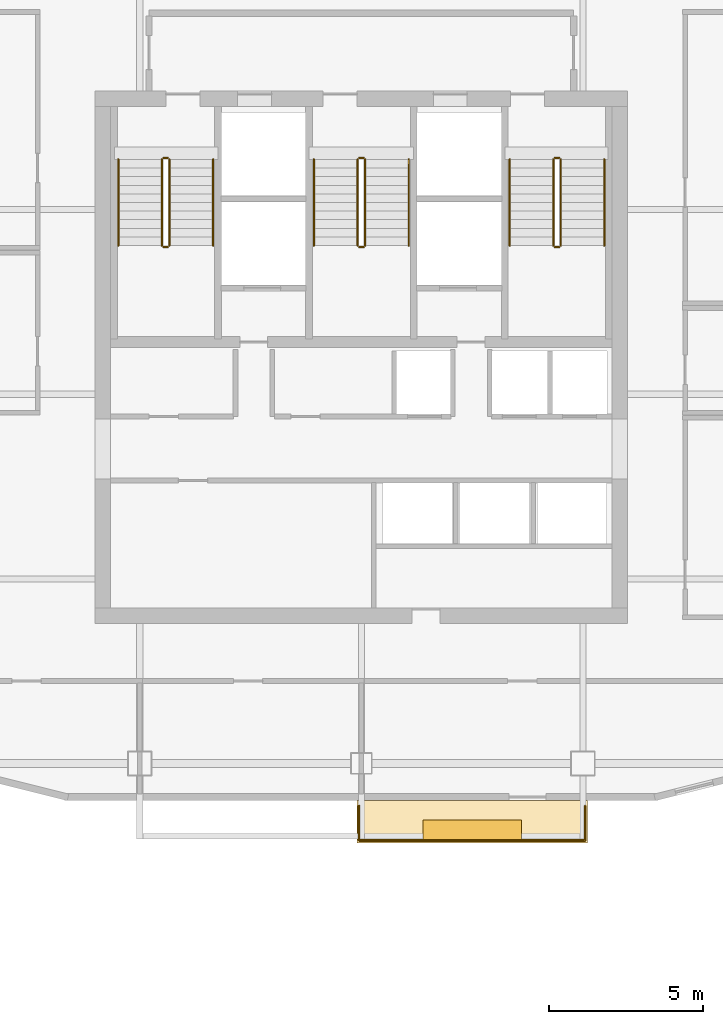
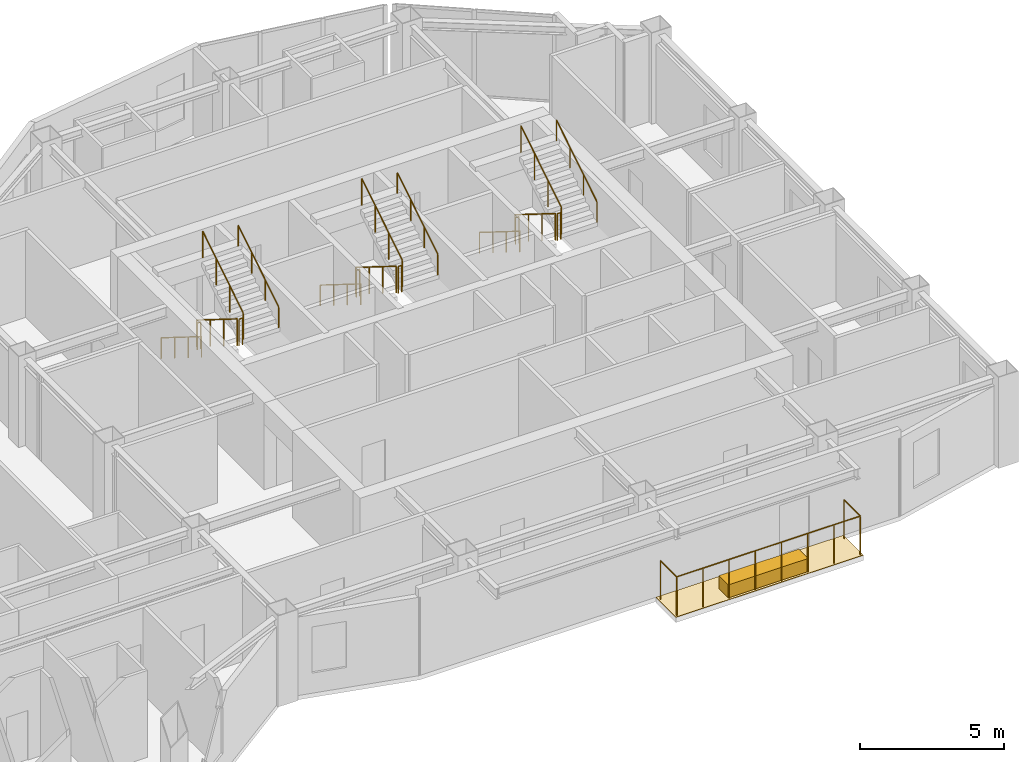
# One storey, part 9 of 9: 20 railings, 2 coverings.
"""IFC4 building model written with IfcOpenShell, lengths in metres."""

from ifc_helpers import new_model, si_unit, direction, frame, origin, origin_2d, place, context, subcontext, project, spatial, polyline, rectangle, circle, outline, extrude, material, layer, layer_set, type_object, element, save


model = new_model("IFC4")

# Units and contexts
model_context = context("Model", 3, precision=1e-05, world=origin(), true_north=direction((0.0, 1.0)))
body_context = subcontext(model_context, "Body", "Model", "MODEL_VIEW")
ifc_project = project(units=[si_unit("LENGTHUNIT", "METRE"), si_unit("AREAUNIT", "SQUARE_METRE"), si_unit("VOLUMEUNIT", "CUBIC_METRE"), si_unit("PLANEANGLEUNIT", "RADIAN"), si_unit("MASSUNIT", "GRAM", prefix="KILO")], contexts=[model_context])

# Site, building, storey
site_placement = place(None, origin())
site = spatial("IfcSite", under=ifc_project, at=site_placement, CompositionType="ELEMENT")
building_placement = place(site_placement, origin())
building = spatial("IfcBuilding", under=site, at=building_placement, Name="Haolan Belvedere Tower", CompositionType="ELEMENT")
storey_placement = place(building_placement, frame((0.0, 0.0, 269.85009765625)))
storey = spatial("IfcBuildingStorey", under=building, at=storey_placement, Name="L68", CompositionType="ELEMENT", Elevation=269.85009765625)

# Coverings
ifc_material_1 = material(Name="Engineered lightweight planted garden soil substrate", Category="masonry")
ifc_layer_1 = layer(ifc_material_1, 0.550048828125, Name="Engineered lightweight planted garden soil substrate")
ifc_layer_set_1 = layer_set([ifc_layer_1], Name="Engineered lightweight planted garden soil substrate")
covering_type_1 = type_object("IfcCoveringType", Name="COV-PLANT-550", PredefinedType="MEMBRANE", material=ifc_layer_set_1)
covering_1_placement = place(storey_placement, frame((42.0, 19.43994140625, 0.0), z_axis=(0.0, 0.0, 1.0), x_axis=(1.0, 0.0, 0.0)))
element("IfcCovering", 1, at=covering_1_placement, inside=storey, type_object=covering_type_1, Name="L68 structural tree balcony PLANTER box 1", PredefinedType="MEMBRANE", context=body_context, shape_type="SweptSolid", body=[
    extrude(rectangle(XDim=3.199951171875, YDim=0.64990234375, at=origin_2d()), origin(), (0.0, 0.0, 1.0), 0.550048828125),
])
ifc_material_2 = material(Name="Elastomeric waterproof roofing membrane and stone pavers", Category="masonry")
ifc_layer_2 = layer(ifc_material_2, 0.02001953125, Name="Elastomeric waterproof roofing membrane and stone pavers")
ifc_layer_set_2 = layer_set([ifc_layer_2], Name="Elastomeric waterproof roofing membrane and stone pavers")
covering_type_2 = type_object("IfcCoveringType", Name="COV-ROOF-20", PredefinedType="ROOFING", material=ifc_layer_set_2)
covering_2_placement = place(storey_placement, frame((0.0, 0.0, -0.02001953125)))
element("IfcCovering", 2, at=covering_2_placement, inside=storey, type_object=covering_type_2, Name="L68 tree-balcony waterproof membrane 1", PredefinedType="ROOFING", context=body_context, shape_type="SweptSolid", body=[
    extrude(outline(polyline([(38.25, 19.02001953125), (45.75, 19.02001953125), (45.75, 20.39990234375), (38.25, 20.39990234375), (38.25, 19.02001953125)])), origin(), (0.0, 0.0, 1.0), 0.02001953125),
])

# Railings
ifc_material_3 = material(Name="Brushed stainless steel 304", Category="steel")
railing_type_1 = type_object("IfcRailingType", Name="RL-STAIR-GRD-1150", PredefinedType="GUARDRAIL", material=ifc_material_3)
railing_1_placement = place(storey_placement, frame((31.919921875, 41.22998046875, 0.1748046875)))
element("IfcRailing", 3, at=railing_1_placement, inside=storey, type_object=railing_type_1, Name="L68 ST1 stair guard 1", PredefinedType="GUARDRAIL", context=body_context, shape_type="SweptSolid", body=[
    extrude(circle(Radius=0.02392578125, at=origin_2d()), frame((0.0, 0.0, 1.1259765625), z_axis=(0.0, -0.848002457836, 0.529992293815), x_axis=(1.0, 0.0, 0.0)), (0.0, 0.0, 1.0), 3.302001953125),
    extrude(circle(Radius=0.02099609375, at=origin_2d()), origin(), (0.0, 0.0, 1.0), 1.101806640625),
    extrude(circle(Radius=0.02099609375, at=origin_2d()), frame((0.0, -0.933349609375, 0.583251953125)), (0.0, 0.0, 1.0), 1.101806640625),
    extrude(circle(Radius=0.02099609375, at=origin_2d()), frame((0.0, -1.86669921875, 1.166748046875)), (0.0, 0.0, 1.0), 1.101806640625),
    extrude(circle(Radius=0.02099609375, at=origin_2d()), frame((0.0, -2.800048828125, 1.75)), (0.0, 0.0, 1.0), 1.101806640625),
])
railing_2_placement = place(storey_placement, frame((31.969970703125, 38.3798828125, 1.9248046875)))
element("IfcRailing", 4, at=railing_2_placement, inside=storey, type_object=railing_type_1, Name="L68 ST1 stair guard 2", PredefinedType="GUARDRAIL", context=body_context, shape_type="SweptSolid", body=[
    extrude(circle(Radius=0.02392578125, at=origin_2d()), frame((0.0, 0.0, 1.1259765625), z_axis=(1.0, 0.0, 0.0), x_axis=(0.0, 1.0, 0.0)), (0.0, 0.0, 1.0), 0.14013671875),
    extrude(circle(Radius=0.02099609375, at=origin_2d()), origin(), (0.0, 0.0, 1.0), 1.101806640625),
    extrude(circle(Radius=0.02099609375, at=origin_2d()), frame((0.14013671875, 0.0, 0.0)), (0.0, 0.0, 1.0), 1.101806640625),
])
railing_3_placement = place(storey_placement, frame((32.159912109375, 38.429931640625, 2.099853515625)))
element("IfcRailing", 5, at=railing_3_placement, inside=storey, type_object=railing_type_1, Name="L68 ST1 stair guard 3", PredefinedType="GUARDRAIL", context=body_context, shape_type="SweptSolid", body=[
    extrude(circle(Radius=0.02392578125, at=origin_2d()), frame((0.0, 0.0, 1.1259765625), z_axis=(0.0, 0.848002457836, 0.529992293815), x_axis=(-1.0, 0.0, 0.0)), (0.0, 0.0, 1.0), 3.302001953125),
    extrude(circle(Radius=0.02099609375, at=origin_2d()), origin(), (0.0, 0.0, 1.0), 1.101806640625),
    extrude(circle(Radius=0.02099609375, at=origin_2d()), frame((0.0, 0.933349609375, 0.583251953125)), (0.0, 0.0, 1.0), 1.101806640625),
    extrude(circle(Radius=0.02099609375, at=origin_2d()), frame((0.0, 1.86669921875, 1.166748046875)), (0.0, 0.0, 1.0), 1.101806640625),
    extrude(circle(Radius=0.02099609375, at=origin_2d()), frame((0.0, 2.800048828125, 1.75)), (0.0, 0.0, 1.0), 1.101806640625),
])
railing_4_placement = place(storey_placement, frame((31.969970703125, 41.280029296875, 0.0)))
element("IfcRailing", 6, at=railing_4_placement, inside=storey, type_object=railing_type_1, Name="L68 ST1 stair guard 4", PredefinedType="GUARDRAIL", context=body_context, shape_type="SweptSolid", body=[
    extrude(circle(Radius=0.02392578125, at=origin_2d()), frame((0.0, 0.0, 1.1259765625), z_axis=(1.0, 0.0, 0.0), x_axis=(0.0, 1.0, 0.0)), (0.0, 0.0, 1.0), 0.14013671875),
    extrude(circle(Radius=0.02099609375, at=origin_2d()), origin(), (0.0, 0.0, 1.0), 1.101806640625),
    extrude(circle(Radius=0.02099609375, at=origin_2d()), frame((0.14013671875, 0.0, 0.0)), (0.0, 0.0, 1.0), 1.101806640625),
])
railing_5_placement = place(storey_placement, frame((38.280029296875, 41.22998046875, 0.1748046875)))
element("IfcRailing", 7, at=railing_5_placement, inside=storey, type_object=railing_type_1, Name="L68 ST3 stair guard 1", PredefinedType="GUARDRAIL", context=body_context, shape_type="SweptSolid", body=[
    extrude(circle(Radius=0.02392578125, at=origin_2d()), frame((0.0, 0.0, 1.1259765625), z_axis=(0.0, -0.848002457836, 0.529992293815), x_axis=(1.0, 0.0, 0.0)), (0.0, 0.0, 1.0), 3.302001953125),
    extrude(circle(Radius=0.02099609375, at=origin_2d()), origin(), (0.0, 0.0, 1.0), 1.101806640625),
    extrude(circle(Radius=0.02099609375, at=origin_2d()), frame((0.0, -0.933349609375, 0.583251953125)), (0.0, 0.0, 1.0), 1.101806640625),
    extrude(circle(Radius=0.02099609375, at=origin_2d()), frame((0.0, -1.86669921875, 1.166748046875)), (0.0, 0.0, 1.0), 1.101806640625),
    extrude(circle(Radius=0.02099609375, at=origin_2d()), frame((0.0, -2.800048828125, 1.75)), (0.0, 0.0, 1.0), 1.101806640625),
])
railing_6_placement = place(storey_placement, frame((38.330078125, 38.3798828125, 1.9248046875)))
element("IfcRailing", 8, at=railing_6_placement, inside=storey, type_object=railing_type_1, Name="L68 ST3 stair guard 2", PredefinedType="GUARDRAIL", context=body_context, shape_type="SweptSolid", body=[
    extrude(circle(Radius=0.02392578125, at=origin_2d()), frame((0.0, 0.0, 1.1259765625), z_axis=(1.0, 0.0, 0.0), x_axis=(0.0, 1.0, 0.0)), (0.0, 0.0, 1.0), 0.139892578125),
    extrude(circle(Radius=0.02099609375, at=origin_2d()), origin(), (0.0, 0.0, 1.0), 1.101806640625),
    extrude(circle(Radius=0.02099609375, at=origin_2d()), frame((0.139892578125, 0.0, 0.0)), (0.0, 0.0, 1.0), 1.101806640625),
])
railing_7_placement = place(storey_placement, frame((38.52001953125, 38.429931640625, 2.099853515625)))
element("IfcRailing", 9, at=railing_7_placement, inside=storey, type_object=railing_type_1, Name="L68 ST3 stair guard 3", PredefinedType="GUARDRAIL", context=body_context, shape_type="SweptSolid", body=[
    extrude(circle(Radius=0.02392578125, at=origin_2d()), frame((0.0, 0.0, 1.1259765625), z_axis=(0.0, 0.848002457836, 0.529992293815), x_axis=(-1.0, 0.0, 0.0)), (0.0, 0.0, 1.0), 3.302001953125),
    extrude(circle(Radius=0.02099609375, at=origin_2d()), origin(), (0.0, 0.0, 1.0), 1.101806640625),
    extrude(circle(Radius=0.02099609375, at=origin_2d()), frame((0.0, 0.933349609375, 0.583251953125)), (0.0, 0.0, 1.0), 1.101806640625),
    extrude(circle(Radius=0.02099609375, at=origin_2d()), frame((0.0, 1.86669921875, 1.166748046875)), (0.0, 0.0, 1.0), 1.101806640625),
    extrude(circle(Radius=0.02099609375, at=origin_2d()), frame((0.0, 2.800048828125, 1.75)), (0.0, 0.0, 1.0), 1.101806640625),
])
railing_8_placement = place(storey_placement, frame((38.330078125, 41.280029296875, 0.0)))
element("IfcRailing", 10, at=railing_8_placement, inside=storey, type_object=railing_type_1, Name="L68 ST3 stair guard 4", PredefinedType="GUARDRAIL", context=body_context, shape_type="SweptSolid", body=[
    extrude(circle(Radius=0.02392578125, at=origin_2d()), frame((0.0, 0.0, 1.1259765625), z_axis=(1.0, 0.0, 0.0), x_axis=(0.0, 1.0, 0.0)), (0.0, 0.0, 1.0), 0.139892578125),
    extrude(circle(Radius=0.02099609375, at=origin_2d()), origin(), (0.0, 0.0, 1.0), 1.101806640625),
    extrude(circle(Radius=0.02099609375, at=origin_2d()), frame((0.139892578125, 0.0, 0.0)), (0.0, 0.0, 1.0), 1.101806640625),
])
railing_9_placement = place(storey_placement, frame((44.639892578125, 41.22998046875, 0.1748046875)))
element("IfcRailing", 11, at=railing_9_placement, inside=storey, type_object=railing_type_1, Name="L68 ST2 stair guard 1", PredefinedType="GUARDRAIL", context=body_context, shape_type="SweptSolid", body=[
    extrude(circle(Radius=0.02392578125, at=origin_2d()), frame((0.0, 0.0, 1.1259765625), z_axis=(0.0, -0.848002457836, 0.529992293815), x_axis=(1.0, 0.0, 0.0)), (0.0, 0.0, 1.0), 3.302001953125),
    extrude(circle(Radius=0.02099609375, at=origin_2d()), origin(), (0.0, 0.0, 1.0), 1.101806640625),
    extrude(circle(Radius=0.02099609375, at=origin_2d()), frame((0.0, -0.933349609375, 0.583251953125)), (0.0, 0.0, 1.0), 1.101806640625),
    extrude(circle(Radius=0.02099609375, at=origin_2d()), frame((0.0, -1.86669921875, 1.166748046875)), (0.0, 0.0, 1.0), 1.101806640625),
    extrude(circle(Radius=0.02099609375, at=origin_2d()), frame((0.0, -2.800048828125, 1.75)), (0.0, 0.0, 1.0), 1.101806640625),
])
railing_10_placement = place(storey_placement, frame((44.68994140625, 38.3798828125, 1.9248046875)))
element("IfcRailing", 12, at=railing_10_placement, inside=storey, type_object=railing_type_1, Name="L68 ST2 stair guard 2", PredefinedType="GUARDRAIL", context=body_context, shape_type="SweptSolid", body=[
    extrude(circle(Radius=0.02392578125, at=origin_2d()), frame((0.0, 0.0, 1.1259765625), z_axis=(1.0, 0.0, 0.0), x_axis=(0.0, 1.0, 0.0)), (0.0, 0.0, 1.0), 0.14013671875),
    extrude(circle(Radius=0.02099609375, at=origin_2d()), origin(), (0.0, 0.0, 1.0), 1.101806640625),
    extrude(circle(Radius=0.02099609375, at=origin_2d()), frame((0.14013671875, 0.0, 0.0)), (0.0, 0.0, 1.0), 1.101806640625),
])
railing_11_placement = place(storey_placement, frame((44.8798828125, 38.429931640625, 2.099853515625)))
element("IfcRailing", 13, at=railing_11_placement, inside=storey, type_object=railing_type_1, Name="L68 ST2 stair guard 3", PredefinedType="GUARDRAIL", context=body_context, shape_type="SweptSolid", body=[
    extrude(circle(Radius=0.02392578125, at=origin_2d()), frame((0.0, 0.0, 1.1259765625), z_axis=(0.0, 0.848002457836, 0.529992293815), x_axis=(-1.0, 0.0, 0.0)), (0.0, 0.0, 1.0), 3.302001953125),
    extrude(circle(Radius=0.02099609375, at=origin_2d()), origin(), (0.0, 0.0, 1.0), 1.101806640625),
    extrude(circle(Radius=0.02099609375, at=origin_2d()), frame((0.0, 0.933349609375, 0.583251953125)), (0.0, 0.0, 1.0), 1.101806640625),
    extrude(circle(Radius=0.02099609375, at=origin_2d()), frame((0.0, 1.86669921875, 1.166748046875)), (0.0, 0.0, 1.0), 1.101806640625),
    extrude(circle(Radius=0.02099609375, at=origin_2d()), frame((0.0, 2.800048828125, 1.75)), (0.0, 0.0, 1.0), 1.101806640625),
])
railing_12_placement = place(storey_placement, frame((44.68994140625, 41.280029296875, 0.0)))
element("IfcRailing", 14, at=railing_12_placement, inside=storey, type_object=railing_type_1, Name="L68 ST2 stair guard 4", PredefinedType="GUARDRAIL", context=body_context, shape_type="SweptSolid", body=[
    extrude(circle(Radius=0.02392578125, at=origin_2d()), frame((0.0, 0.0, 1.1259765625), z_axis=(1.0, 0.0, 0.0), x_axis=(0.0, 1.0, 0.0)), (0.0, 0.0, 1.0), 0.14013671875),
    extrude(circle(Radius=0.02099609375, at=origin_2d()), origin(), (0.0, 0.0, 1.0), 1.101806640625),
    extrude(circle(Radius=0.02099609375, at=origin_2d()), frame((0.14013671875, 0.0, 0.0)), (0.0, 0.0, 1.0), 1.101806640625),
])
railing_type_2 = type_object("IfcRailingType", Name="RL-STAIR-HND-900", PredefinedType="HANDRAIL", material=ifc_material_3)
railing_13_placement = place(storey_placement, frame((30.5, 41.22998046875, 0.1748046875)))
element("IfcRailing", 15, at=railing_13_placement, inside=storey, type_object=railing_type_2, Name="L68 ST1 stair handrail 1", PredefinedType="HANDRAIL", context=body_context, shape_type="SweptSolid", body=[
    extrude(circle(Radius=0.02392578125, at=origin_2d()), frame((0.0, 0.0, 0.8759765625), z_axis=(0.0, -0.848002457836, 0.529992293815), x_axis=(1.0, 0.0, 0.0)), (0.0, 0.0, 1.0), 3.302001953125),
    extrude(circle(Radius=0.02099609375, at=origin_2d()), origin(), (0.0, 0.0, 1.0), 0.851806640625),
    extrude(circle(Radius=0.02099609375, at=origin_2d()), frame((0.0, -0.933349609375, 0.583251953125)), (0.0, 0.0, 1.0), 0.851806640625),
    extrude(circle(Radius=0.02099609375, at=origin_2d()), frame((0.0, -1.86669921875, 1.166748046875)), (0.0, 0.0, 1.0), 0.851806640625),
    extrude(circle(Radius=0.02099609375, at=origin_2d()), frame((0.0, -2.800048828125, 1.75)), (0.0, 0.0, 1.0), 0.851806640625),
])
railing_14_placement = place(storey_placement, frame((33.580078125, 38.429931640625, 2.099853515625)))
element("IfcRailing", 16, at=railing_14_placement, inside=storey, type_object=railing_type_2, Name="L68 ST1 stair handrail 2", PredefinedType="HANDRAIL", context=body_context, shape_type="SweptSolid", body=[
    extrude(circle(Radius=0.02392578125, at=origin_2d()), frame((0.0, 0.0, 0.8759765625), z_axis=(0.0, 0.848002457836, 0.529992293815), x_axis=(-1.0, 0.0, 0.0)), (0.0, 0.0, 1.0), 3.302001953125),
    extrude(circle(Radius=0.02099609375, at=origin_2d()), origin(), (0.0, 0.0, 1.0), 0.851806640625),
    extrude(circle(Radius=0.02099609375, at=origin_2d()), frame((0.0, 0.933349609375, 0.583251953125)), (0.0, 0.0, 1.0), 0.851806640625),
    extrude(circle(Radius=0.02099609375, at=origin_2d()), frame((0.0, 1.86669921875, 1.166748046875)), (0.0, 0.0, 1.0), 0.851806640625),
    extrude(circle(Radius=0.02099609375, at=origin_2d()), frame((0.0, 2.800048828125, 1.75)), (0.0, 0.0, 1.0), 0.851806640625),
])
railing_15_placement = place(storey_placement, frame((36.860107421875, 41.22998046875, 0.1748046875)))
element("IfcRailing", 17, at=railing_15_placement, inside=storey, type_object=railing_type_2, Name="L68 ST3 stair handrail 1", PredefinedType="HANDRAIL", context=body_context, shape_type="SweptSolid", body=[
    extrude(circle(Radius=0.02392578125, at=origin_2d()), frame((0.0, 0.0, 0.8759765625), z_axis=(0.0, -0.848002457836, 0.529992293815), x_axis=(1.0, 0.0, 0.0)), (0.0, 0.0, 1.0), 3.302001953125),
    extrude(circle(Radius=0.02099609375, at=origin_2d()), origin(), (0.0, 0.0, 1.0), 0.851806640625),
    extrude(circle(Radius=0.02099609375, at=origin_2d()), frame((0.0, -0.933349609375, 0.583251953125)), (0.0, 0.0, 1.0), 0.851806640625),
    extrude(circle(Radius=0.02099609375, at=origin_2d()), frame((0.0, -1.86669921875, 1.166748046875)), (0.0, 0.0, 1.0), 0.851806640625),
    extrude(circle(Radius=0.02099609375, at=origin_2d()), frame((0.0, -2.800048828125, 1.75)), (0.0, 0.0, 1.0), 0.851806640625),
])
railing_16_placement = place(storey_placement, frame((39.93994140625, 38.429931640625, 2.099853515625)))
element("IfcRailing", 18, at=railing_16_placement, inside=storey, type_object=railing_type_2, Name="L68 ST3 stair handrail 2", PredefinedType="HANDRAIL", context=body_context, shape_type="SweptSolid", body=[
    extrude(circle(Radius=0.02392578125, at=origin_2d()), frame((0.0, 0.0, 0.8759765625), z_axis=(0.0, 0.848002457836, 0.529992293815), x_axis=(-1.0, 0.0, 0.0)), (0.0, 0.0, 1.0), 3.302001953125),
    extrude(circle(Radius=0.02099609375, at=origin_2d()), origin(), (0.0, 0.0, 1.0), 0.851806640625),
    extrude(circle(Radius=0.02099609375, at=origin_2d()), frame((0.0, 0.933349609375, 0.583251953125)), (0.0, 0.0, 1.0), 0.851806640625),
    extrude(circle(Radius=0.02099609375, at=origin_2d()), frame((0.0, 1.86669921875, 1.166748046875)), (0.0, 0.0, 1.0), 0.851806640625),
    extrude(circle(Radius=0.02099609375, at=origin_2d()), frame((0.0, 2.800048828125, 1.75)), (0.0, 0.0, 1.0), 0.851806640625),
])
railing_17_placement = place(storey_placement, frame((43.219970703125, 41.22998046875, 0.1748046875)))
element("IfcRailing", 19, at=railing_17_placement, inside=storey, type_object=railing_type_2, Name="L68 ST2 stair handrail 1", PredefinedType="HANDRAIL", context=body_context, shape_type="SweptSolid", body=[
    extrude(circle(Radius=0.02392578125, at=origin_2d()), frame((0.0, 0.0, 0.8759765625), z_axis=(0.0, -0.848002457836, 0.529992293815), x_axis=(1.0, 0.0, 0.0)), (0.0, 0.0, 1.0), 3.302001953125),
    extrude(circle(Radius=0.02099609375, at=origin_2d()), origin(), (0.0, 0.0, 1.0), 0.851806640625),
    extrude(circle(Radius=0.02099609375, at=origin_2d()), frame((0.0, -0.933349609375, 0.583251953125)), (0.0, 0.0, 1.0), 0.851806640625),
    extrude(circle(Radius=0.02099609375, at=origin_2d()), frame((0.0, -1.86669921875, 1.166748046875)), (0.0, 0.0, 1.0), 0.851806640625),
    extrude(circle(Radius=0.02099609375, at=origin_2d()), frame((0.0, -2.800048828125, 1.75)), (0.0, 0.0, 1.0), 0.851806640625),
])
railing_18_placement = place(storey_placement, frame((46.300048828125, 38.429931640625, 2.099853515625)))
element("IfcRailing", 20, at=railing_18_placement, inside=storey, type_object=railing_type_2, Name="L68 ST2 stair handrail 2", PredefinedType="HANDRAIL", context=body_context, shape_type="SweptSolid", body=[
    extrude(circle(Radius=0.02392578125, at=origin_2d()), frame((0.0, 0.0, 0.8759765625), z_axis=(0.0, 0.848002457836, 0.529992293815), x_axis=(-1.0, 0.0, 0.0)), (0.0, 0.0, 1.0), 3.302001953125),
    extrude(circle(Radius=0.02099609375, at=origin_2d()), origin(), (0.0, 0.0, 1.0), 0.851806640625),
    extrude(circle(Radius=0.02099609375, at=origin_2d()), frame((0.0, 0.933349609375, 0.583251953125)), (0.0, 0.0, 1.0), 0.851806640625),
    extrude(circle(Radius=0.02099609375, at=origin_2d()), frame((0.0, 1.86669921875, 1.166748046875)), (0.0, 0.0, 1.0), 0.851806640625),
    extrude(circle(Radius=0.02099609375, at=origin_2d()), frame((0.0, 2.800048828125, 1.75)), (0.0, 0.0, 1.0), 0.851806640625),
])
ifc_material_4 = material(Name="Anodised aluminium and laminated glass balustrade", Category="aluminium")
railing_type_3 = type_object("IfcRailingType", Name="RL-TER-BAL-1150", PredefinedType="BALUSTRADE", material=ifc_material_4)
railing_19_placement = place(storey_placement, frame((38.330078125, 19.10009765625, 0.0)))
element("IfcRailing", 21, at=railing_19_placement, inside=storey, type_object=railing_type_3, Name="L68 outdoor perimeter balustrade BAL-L68-1-1", PredefinedType="BALUSTRADE", context=body_context, shape_type="SweptSolid", body=[
    extrude(circle(Radius=0.02392578125, at=origin_2d()), frame((0.0, 0.0, 1.6259765625), z_axis=(0.0, 1.0, 0.0), x_axis=(-1.0, 0.0, 0.0)), (0.0, 0.0, 1.0), 1.119873046875),
    extrude(circle(Radius=0.02099609375, at=origin_2d()), origin(), (0.0, 0.0, 1.0), 1.601806640625),
    extrude(circle(Radius=0.02099609375, at=origin_2d()), frame((0.0, 1.119873046875, 0.0)), (0.0, 0.0, 1.0), 1.601806640625),
])
railing_20_placement = place(storey_placement, frame((45.669921875, 20.219970703125, 0.0)))
element("IfcRailing", 22, at=railing_20_placement, inside=storey, type_object=railing_type_3, Name="L68 outdoor perimeter balustrade BAL-L68-1-2", PredefinedType="BALUSTRADE", context=body_context, shape_type="SweptSolid", body=[
    extrude(circle(Radius=0.02392578125, at=origin_2d()), frame((0.0, 0.0, 1.6259765625), z_axis=(0.0, -1.0, 0.0), x_axis=(1.0, 0.0, 0.0)), (0.0, 0.0, 1.0), 1.119873046875),
    extrude(circle(Radius=0.02392578125, at=origin_2d()), frame((0.0, -1.119873046875, 1.6259765625), z_axis=(-1.0, 0.0, 0.0), x_axis=(0.0, -1.0, 0.0)), (0.0, 0.0, 1.0), 7.33984375),
    extrude(circle(Radius=0.02099609375, at=origin_2d()), origin(), (0.0, 0.0, 1.0), 1.601806640625),
    extrude(circle(Radius=0.02099609375, at=origin_2d()), frame((0.0, -1.119873046875, 0.0)), (0.0, 0.0, 1.0), 1.601806640625),
    extrude(circle(Radius=0.02099609375, at=origin_2d()), frame((-1.048583984375, -1.119873046875, 0.0)), (0.0, 0.0, 1.0), 1.601806640625),
    extrude(circle(Radius=0.02099609375, at=origin_2d()), frame((-2.09716796875, -1.119873046875, 0.0)), (0.0, 0.0, 1.0), 1.601806640625),
    extrude(circle(Radius=0.02099609375, at=origin_2d()), frame((-3.145751953125, -1.119873046875, 0.0)), (0.0, 0.0, 1.0), 1.601806640625),
    extrude(circle(Radius=0.02099609375, at=origin_2d()), frame((-4.194091796875, -1.119873046875, 0.0)), (0.0, 0.0, 1.0), 1.601806640625),
    extrude(circle(Radius=0.02099609375, at=origin_2d()), frame((-5.24267578125, -1.119873046875, 0.0)), (0.0, 0.0, 1.0), 1.601806640625),
    extrude(circle(Radius=0.02099609375, at=origin_2d()), frame((-6.291259765625, -1.119873046875, 0.0)), (0.0, 0.0, 1.0), 1.601806640625),
    extrude(circle(Radius=0.02099609375, at=origin_2d()), frame((-7.33984375, -1.119873046875, 0.0)), (0.0, 0.0, 1.0), 1.601806640625),
])

save(model, "model.ifc")
